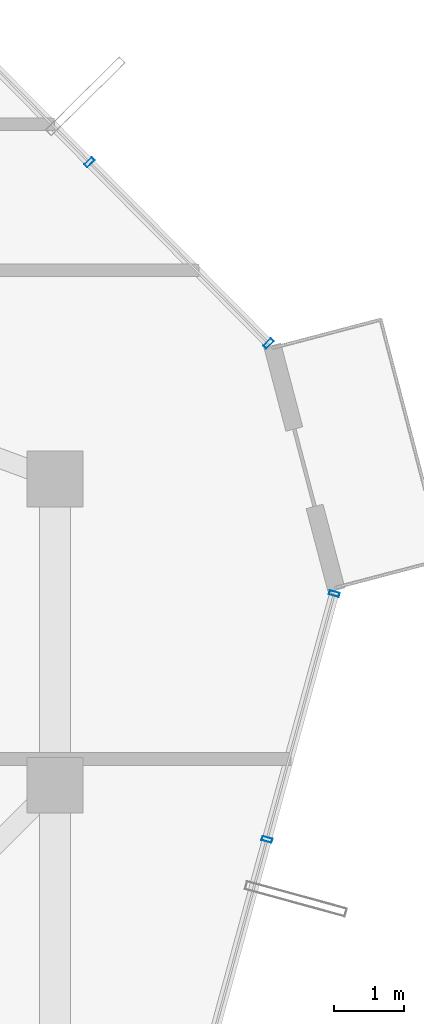
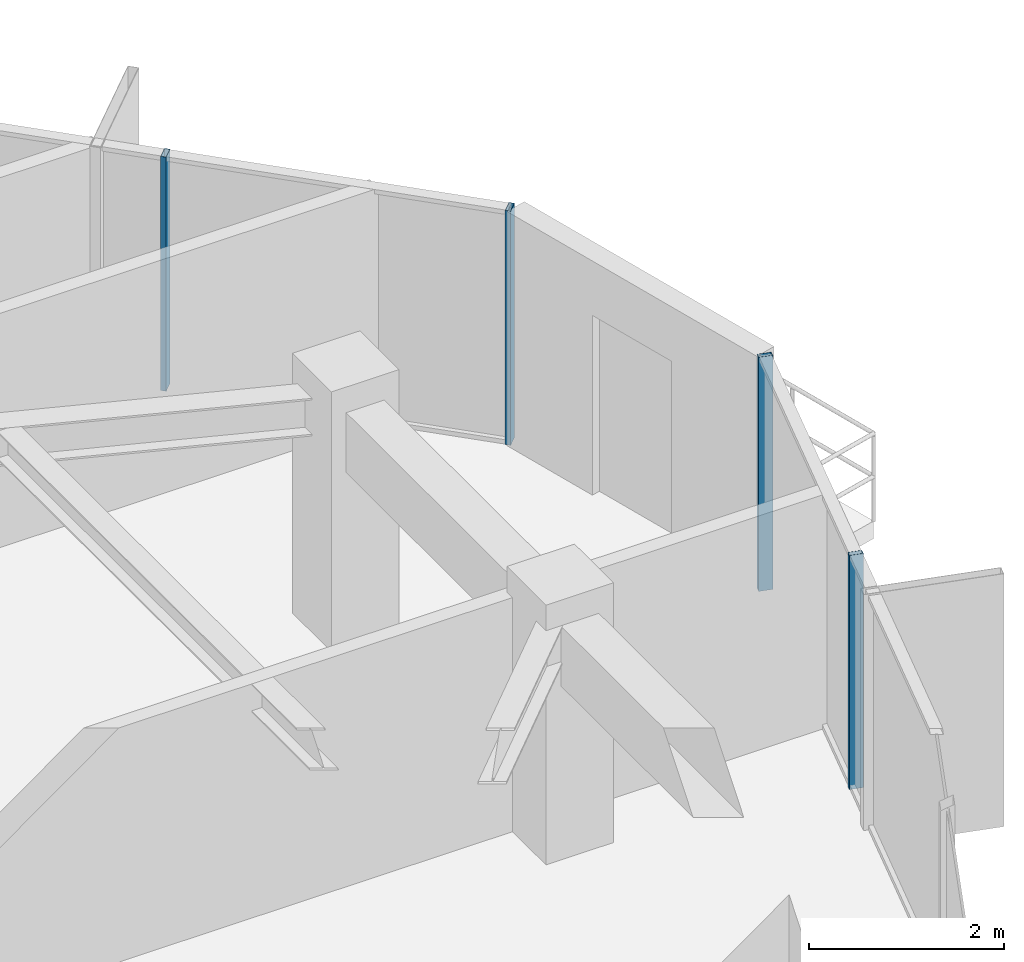
# One storey, part 20 of 29: 4 members, 2 elements without a shape of their own.
"""IFC4 building model written with IfcOpenShell, lengths in metres."""

from ifc_helpers import new_model, si_unit, direction, frame, origin, origin_2d, place, context, subcontext, project, spatial, hollow_rectangle, extrude, source, transform, mapped, material, layer, layer_set, material_profile, profile_set, type_object, element, aggregate, save


model = new_model("IFC4")

# Units and contexts
model_context = context("Model", 3, precision=1e-05, world=origin(), true_north=direction((0.0, 1.0)))
body_context = subcontext(model_context, "Body", "Model", "MODEL_VIEW")
ifc_project = project(units=[si_unit("LENGTHUNIT", "METRE"), si_unit("AREAUNIT", "SQUARE_METRE"), si_unit("VOLUMEUNIT", "CUBIC_METRE"), si_unit("PLANEANGLEUNIT", "RADIAN"), si_unit("MASSUNIT", "GRAM", prefix="KILO")], contexts=[model_context])

# Site, building, storey
site_placement = place(None, origin())
site = spatial("IfcSite", under=ifc_project, at=site_placement, CompositionType="ELEMENT")
building_placement = place(site_placement, origin())
building = spatial("IfcBuilding", under=site, at=building_placement, Name="Veraguas Prism Commons", CompositionType="ELEMENT")
storey_placement = place(building_placement, frame((0.0, 0.0, 261.0)))
storey = spatial("IfcBuildingStorey", under=building, at=storey_placement, Name="L74", CompositionType="ELEMENT", Elevation=261.0)

# Curtain wall, members
ifc_material = material(Name="Anodised aluminium EN AW-6063 T6", Category="aluminium")
ifc_layer = layer(ifc_material, 0.14990234375, Name="Unitised Flush Curtain Wall Zone 4", Category="aluminium")
ifc_layer_set = layer_set([ifc_layer], Name="Anodised aluminium EN AW-6063 T6")
curtain_wall_type = type_object("IfcCurtainWallType", Name="Unitised Flush Curtain Wall Zone 4", PredefinedType="NOTDEFINED", material=ifc_layer_set)
curtain_wall_1_placement = place(storey_placement, origin())
curtain_wall_1 = element("IfcCurtainWall", 1, at=curtain_wall_1_placement, inside=storey, type_object=curtain_wall_type, Name="Tower Facade Curtain Wall L74-F1", PredefinedType="NOTDEFINED")
ifc_material_profile = material_profile(ifc_material, hollow_rectangle(XDim=0.06005859375, YDim=0.14990234375, WallThickness=0.0029296875, at=origin_2d()), Name="AL60X150X3")
ifc_profile_set = profile_set([ifc_material_profile], Name="Anodised aluminium EN AW-6063 T6")
member_type = type_object("IfcMemberType", Name="Curtain Wall Mullion Upper AL 60x150x3", PredefinedType="MULLION", material=ifc_profile_set)
shared_shape = source(origin(), body_context, "Body", "SweptSolid", [
    extrude(hollow_rectangle(XDim=0.06005859375, YDim=0.14990234375, WallThickness=0.0029296875, at=origin_2d()), origin(), (0.0, 0.0, 1.0), 2.929931640625),
])
member_1_placement = place(storey_placement, frame((40.867919921875, 30.347412109375, 0.0), z_axis=(0.0, 0.0, 1.0), x_axis=(-0.703392221648, 0.710801929179, 0.0)))
member_1 = element("IfcMember", 2, at=member_1_placement, type_object=member_type, Name="CW-Z4 Mullion 1", PredefinedType="MULLION", context=body_context, shape_type="MappedRepresentation", body=[
    mapped(shared_shape, transform((0.0, 0.0, 0.0), scale=1.0)),
])
member_2_placement = place(storey_placement, frame((38.29248046875, 32.949951171875, 0.0), z_axis=(0.0, 0.0, 1.0), x_axis=(-0.703392221648, 0.710801929179, 0.0)))
member_2 = element("IfcMember", 3, at=member_2_placement, type_object=member_type, Name="CW-Z4 Mullion 2", PredefinedType="MULLION", context=body_context, shape_type="MappedRepresentation", body=[
    mapped(shared_shape, transform((0.0, 0.0, 0.0), scale=1.0)),
])
aggregate(curtain_wall_1, [member_1, member_2])

curtain_wall_2_placement = place(storey_placement, origin())
curtain_wall_2 = element("IfcCurtainWall", 4, at=curtain_wall_2_placement, inside=storey, type_object=curtain_wall_type, Name="Tower Facade Curtain Wall L74-F6", PredefinedType="NOTDEFINED")
member_3_placement = place(storey_placement, frame((40.845458984375, 23.21875, 0.0), z_axis=(0.0, 0.0, 1.0), x_axis=(0.263883150773, 0.964554655133, 0.0)))
member_3 = element("IfcMember", 5, at=member_3_placement, type_object=member_type, Name="CW-Z4 Mullion 4", PredefinedType="MULLION", context=body_context, shape_type="MappedRepresentation", body=[
    mapped(shared_shape, transform((0.0, 0.0, 0.0), scale=1.0)),
])
member_4_placement = place(storey_placement, frame((41.811767578125, 26.750732421875, 0.0), z_axis=(0.0, 0.0, 1.0), x_axis=(0.263883150773, 0.964554655133, 0.0)))
member_4 = element("IfcMember", 6, at=member_4_placement, type_object=member_type, Name="CW-Z4 Mullion 5", PredefinedType="MULLION", context=body_context, shape_type="MappedRepresentation", body=[
    mapped(shared_shape, transform((0.0, 0.0, 0.0), scale=1.0)),
])
aggregate(curtain_wall_2, [member_3, member_4])

save(model, "model.ifc")
